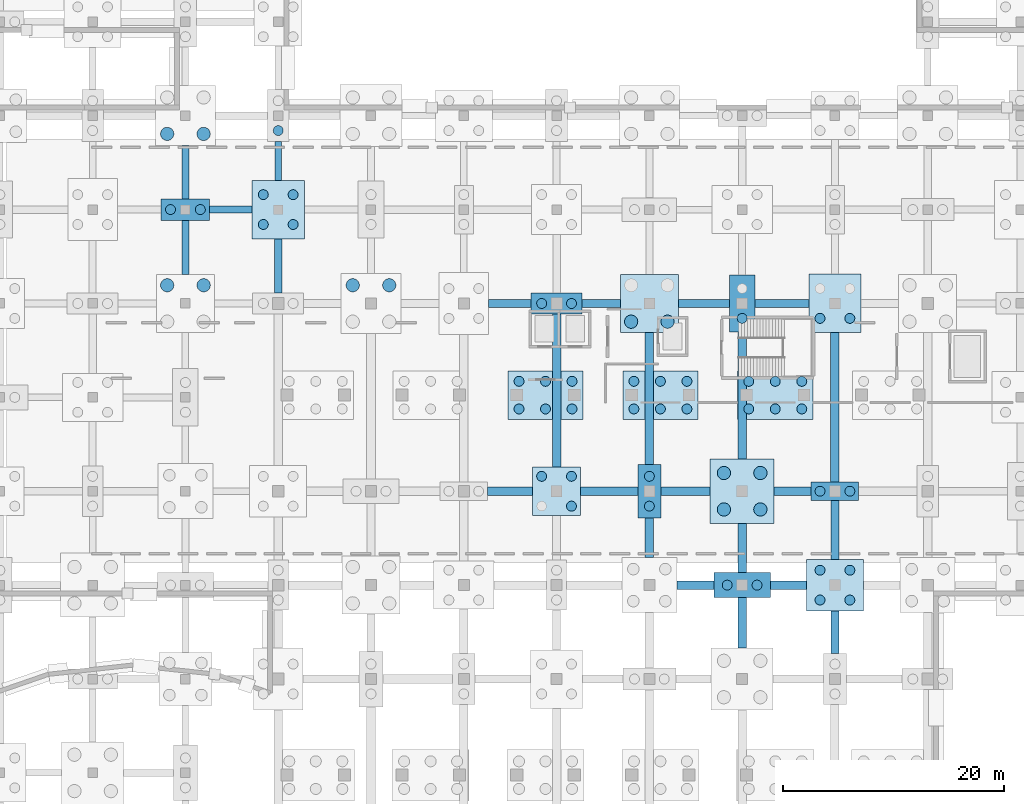
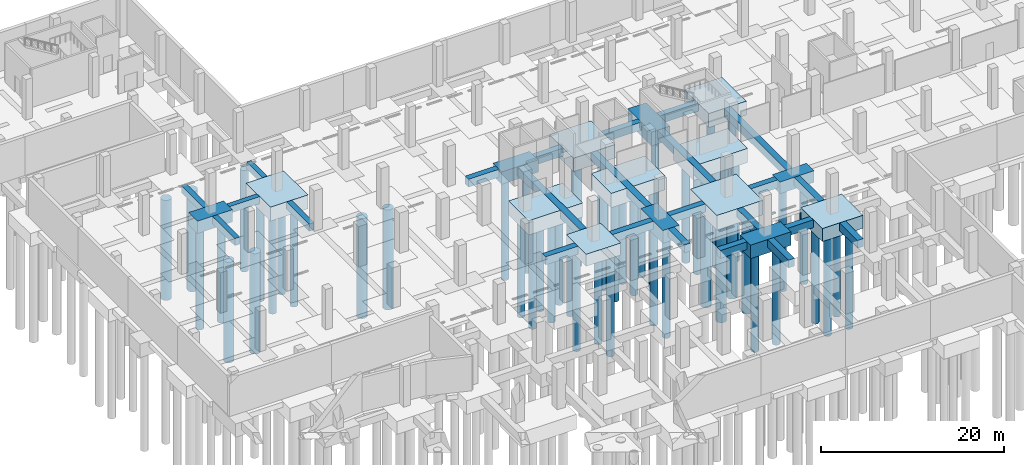
# One storey, part 9 of 34: 55 piles, 39 footings.
"""IFC4 building model written with IfcOpenShell, lengths in metres."""

import ifcopenshell
import ifcopenshell.guid

model = None  # the IFC model being written
_history = None  # IfcOwnerHistory: only IFC2X3 demands one
_inside = {}  # id of a spatial element -> (the spatial element, [elements in it])
_under = {}  # id of a project, library or spatial element -> (it, [spatial elements below it])
_declared = {}  # id of a project -> (the project, [libraries it declares])
_typed = {}  # id of a type object -> (the type object, [elements of that type])
_made_of = {}  # id of a material, layer set ... -> (it, [elements and type objects made of it])


def new_model(schema):
    """Start an empty IFC model of exactly this schema.

    Asked for "IFC4X3", IfcOpenShell would pick the latest addendum, in which some entities
    have other attributes; the version numbers below select the first issue.
    IFC2X3 requires an IfcOwnerHistory on every rooted entity: one is made here for all.
    """
    global model, _history
    if schema == "IFC4X3":
        model = ifcopenshell.file(schema_version=(4, 3, 0, 0))
    else:
        model = ifcopenshell.file(schema=schema)
    _inside.clear()
    _under.clear()
    _declared.clear()
    _typed.clear()
    _made_of.clear()
    _history = None
    if model.schema == "IFC2X3":
        org = make("IfcOrganization", Name="unknown")
        user = make(
            "IfcPersonAndOrganization",
            ThePerson=make("IfcPerson", FamilyName="unknown"),
            TheOrganization=org,
        )
        app = make(
            "IfcApplication",
            ApplicationDeveloper=org,
            Version="unknown",
            ApplicationFullName="unknown",
            ApplicationIdentifier="unknown",
        )
        _history = make(
            "IfcOwnerHistory",
            OwningUser=user,
            OwningApplication=app,
            ChangeAction="ADDED",
            CreationDate=0,
        )
    return model


def make(cls, **values):
    """One entity of the class cls with the attributes given. An attribute that is None is left unset."""
    return model.create_entity(
        cls, **{name: value for name, value in values.items() if value is not None}
    )


def rooted(cls, **values):
    """An entity with a GlobalId (a new one), such as an element, a storey or a relation."""
    return make(cls, GlobalId=ifcopenshell.guid.new(), OwnerHistory=_history, **values)


def si_unit(unit_type, name, prefix=None):
    """IfcSIUnit, for example si_unit("LENGTHUNIT", "METRE", prefix="MILLI")."""
    return make("IfcSIUnit", UnitType=unit_type, Prefix=prefix, Name=name)


def assignment(units):
    """IfcUnitAssignment: the units of a project."""
    return None if units is None else make("IfcUnitAssignment", Units=units)


def point(xyz):
    """IfcCartesianPoint."""
    return None if xyz is None else make("IfcCartesianPoint", Coordinates=xyz)


def direction(xyz):
    """IfcDirection."""
    return None if xyz is None else make("IfcDirection", DirectionRatios=xyz)


def frame(location, z_axis=None, x_axis=None):
    """IfcAxis2Placement3D, a coordinate frame: its origin and axes. An axis left out is left unset."""
    return make(
        "IfcAxis2Placement3D",
        Location=point(location),
        Axis=direction(z_axis),
        RefDirection=direction(x_axis),
    )


def frame_2d(location, x_axis=None):
    """IfcAxis2Placement2D, a coordinate frame in the plane: its origin and x axis."""
    return make(
        "IfcAxis2Placement2D", Location=point(location), RefDirection=direction(x_axis)
    )


def origin():
    """The frame at (0, 0, 0) with its axes left unset."""
    return frame((0.0, 0.0, 0.0))


def origin_2d():
    """The frame at (0, 0) in the plane with its x axis left unset."""
    return frame_2d((0.0, 0.0))


def place(relative_to, where):
    """IfcLocalPlacement: puts the frame where relative to a parent placement (None: the world)."""
    return make(
        "IfcLocalPlacement", PlacementRelTo=relative_to, RelativePlacement=where
    )


def context(
    kind, dimensions, precision=None, world=None, true_north=None, identifier=None
):
    """IfcGeometricRepresentationContext, for example the 3D "Model" context."""
    return make(
        "IfcGeometricRepresentationContext",
        ContextIdentifier=identifier,
        ContextType=kind,
        CoordinateSpaceDimension=dimensions,
        Precision=precision,
        WorldCoordinateSystem=world,
        TrueNorth=true_north,
    )


def subcontext(parent, identifier, kind, view, scale=None):
    """IfcGeometricRepresentationSubContext, for example "Body" below "Model"."""
    return make(
        "IfcGeometricRepresentationSubContext",
        ContextIdentifier=identifier,
        ContextType=kind,
        ParentContext=parent,
        TargetScale=scale,
        TargetView=view,
    )


def project(units=None, contexts=None):
    """IfcProject with its units and contexts."""
    return rooted(
        "IfcProject",
        Name="project",
        RepresentationContexts=contexts,
        UnitsInContext=assignment(units),
    )


def spatial(cls, under=None, at=None, **own):
    """A site, building, storey or space (cls), placed at a placement, below another one or the project."""
    s = rooted(cls, ObjectPlacement=at, **own)
    if under is not None:
        _under.setdefault(under.id(), (under, []))[1].append(s)
    return s


def profile(cls, at=None, kind="AREA", **sizes):
    """A parametric profile (cls). Its sizes go by their IFC names, for example OverallWidth=200.0."""
    return make(cls, ProfileType=kind, Position=at, **sizes)


def rectangle(**sizes):
    """IfcRectangleProfileDef."""
    return profile("IfcRectangleProfileDef", **sizes)


def circle(**sizes):
    """IfcCircleProfileDef."""
    return profile("IfcCircleProfileDef", **sizes)


def extrude(swept, where, along, depth):
    """IfcExtrudedAreaSolid: the profile swept, set in the frame where, extruded along a direction by depth."""
    return make(
        "IfcExtrudedAreaSolid",
        SweptArea=swept,
        Position=where,
        ExtrudedDirection=direction(along),
        Depth=depth,
    )


def shape(context_of_items, identifier, shape_type, items):
    """IfcShapeRepresentation: the items that make up one representation, for example the "Body"."""
    return make(
        "IfcShapeRepresentation",
        ContextOfItems=context_of_items,
        RepresentationIdentifier=identifier,
        RepresentationType=shape_type,
        Items=items,
    )


def material(Name=None, Category=None):
    """IfcMaterial."""
    return make("IfcMaterial", Name=Name, Category=Category)


def material_profile(
    of_material, cross_section, Name=None, Category=None, Priority=None
):
    """IfcMaterialProfile: a cross section and its material."""
    return make(
        "IfcMaterialProfile",
        Name=Name,
        Material=of_material,
        Profile=cross_section,
        Priority=Priority,
        Category=Category,
    )


def profile_set(profiles, Name=None, composite=None):
    """IfcMaterialProfileSet."""
    return make(
        "IfcMaterialProfileSet",
        Name=Name,
        MaterialProfiles=profiles,
        CompositeProfile=composite,
    )


def made_of(thing, what):
    """Note that an element or type object is made of a material, layer set ...; save() writes the relation."""
    if what is not None:
        _made_of.setdefault(what.id(), (what, []))[1].append(thing)
    return thing


def type_object(cls, material=None, **own):
    """A type object (cls), such as IfcWallType, which elements share."""
    return made_of(rooted(cls, **own), material)


def element(
    cls,
    number,
    at=None,
    inside=None,
    cuts=None,
    type_object=None,
    material=None,
    context=None,
    identifier="Body",
    shape_type=None,
    held_by="IfcProductDefinitionShape",
    body=None,
    shapes=None,
    **own,
):
    """One element of the class cls, such as IfcWall. Its Tag is "e" and its number.

    at: its placement. inside: the storey or other place that contains it. cuts: it is an
    opening in that element (IfcRelVoidsElement). A single representation is given by context,
    identifier, shape_type and body (its items); several are given by shapes. held_by: the class
    of the entity that holds the representations. save() writes the other relations.
    """
    e = rooted(cls, Tag="e%d" % number, ObjectPlacement=at, **own)
    if body is not None:
        shapes = [shape(context, identifier, shape_type, body)]
    if shapes is not None:
        e.Representation = make(held_by, Representations=shapes)
    if inside is not None:
        _inside.setdefault(inside.id(), (inside, []))[1].append(e)
    if cuts is not None:
        rooted(
            "IfcRelVoidsElement", RelatingBuildingElement=cuts, RelatedOpeningElement=e
        )
    if type_object is not None:
        _typed.setdefault(type_object.id(), (type_object, []))[1].append(e)
    return made_of(e, material)


def aggregate(whole, parts):
    """IfcRelAggregates: a whole, such as a stair, and the parts it consists of."""
    return rooted("IfcRelAggregates", RelatingObject=whole, RelatedObjects=parts)


def save(model, path):
    """Write the relations noted so far, then the file.

    IfcRelAggregates (storeys below a building ...), IfcRelContainedInSpatialStructure (elements
    in a storey), IfcRelDefinesByType, IfcRelAssociatesMaterial and IfcRelDeclares: one each for
    every whole, place, type object, material and project.
    """
    for whole, parts in _under.values():
        aggregate(whole, parts)
    for where, things in _inside.values():
        rooted(
            "IfcRelContainedInSpatialStructure",
            RelatedElements=things,
            RelatingStructure=where,
        )
    for kind, things in _typed.values():
        rooted("IfcRelDefinesByType", RelatedObjects=things, RelatingType=kind)
    for what, things in _made_of.values():
        rooted("IfcRelAssociatesMaterial", RelatedObjects=things, RelatingMaterial=what)
    for by, libraries in _declared.values():
        rooted("IfcRelDeclares", RelatingContext=by, RelatedDefinitions=libraries)
    model.write(path)


model = new_model("IFC4")

# Units and contexts
model_context = context("Model", 3, precision=1e-05, world=origin(), true_north=direction((0.0, 1.0)))
body_context = subcontext(model_context, "Body", "Model", "MODEL_VIEW")
ifc_project = project(units=[si_unit("LENGTHUNIT", "METRE"), si_unit("AREAUNIT", "SQUARE_METRE"), si_unit("VOLUMEUNIT", "CUBIC_METRE"), si_unit("PLANEANGLEUNIT", "RADIAN"), si_unit("MASSUNIT", "GRAM", prefix="KILO")], contexts=[model_context])

# Site, building, storey
site_placement = place(None, origin())
site = spatial("IfcSite", under=ifc_project, at=site_placement, CompositionType="ELEMENT")
building_placement = place(site_placement, origin())
building = spatial("IfcBuilding", under=site, at=building_placement, Name="Solvento Point Concert Hall", CompositionType="ELEMENT")
storey_placement = place(building_placement, frame((0.0, 0.0, -5.39990234375)))
storey = spatial("IfcBuildingStorey", under=building, at=storey_placement, Name="B01", CompositionType="ELEMENT", Elevation=-5.39990234375)

# Piles
ifc_material_1 = material(Name="Concrete C40/50", Category="concrete")
ifc_material_profile_1 = material_profile(ifc_material_1, circle(Radius=0.60009765625, at=origin_2d()), Name="BP-1200")
ifc_profile_set_1 = profile_set([ifc_material_profile_1], Name="Concrete C40/50")
pile_type_1 = type_object("IfcPileType", Name="BoredPile_1200", PredefinedType="BORED", material=ifc_profile_set_1)
for number, where, z_axis, x_axis, name in (
    (1, (64.35009765625, 95.14990234375, -1.7001953125), (0.0, 0.0, -1.0), (1.0, 0.0, 0.0), "Bored pile BoredPile_1200 #243"),
    (2, (67.64990234375, 95.14990234375, -1.7001953125), (0.0, 0.0, -1.0), (1.0, 0.0, 0.0), "Bored pile BoredPile_1200 #244"),
):
    element("IfcPile", number, at=place(storey_placement, frame(where, z_axis=z_axis, x_axis=x_axis)), inside=storey, type_object=pile_type_1, Name=name, PredefinedType="BORED", context=body_context, shape_type="SweptSolid", body=[
        extrude(circle(Radius=0.60009765625, at=origin_2d()), origin(), (0.0, 0.0, 1.0), 13.39990234375),
    ])
for number, where, z_axis, x_axis, name in (
    (3, (64.35009765625, 108.85009765625, -1.75), (0.0, 0.0, -1.0), (1.0, 0.0, 0.0), "Bored pile BoredPile_1200 #247"),
    (4, (67.64990234375, 108.85009765625, -1.75), (0.0, 0.0, -1.0), (1.0, 0.0, 0.0), "Bored pile BoredPile_1200 #248"),
    (5, (81.14990234375, 95.14990234375, -1.75), (0.0, 0.0, -1.0), (1.0, 0.0, 0.0), "Bored pile BoredPile_1200 #321"),
    (6, (84.449951171875, 95.14990234375, -1.75), (0.0, 0.0, -1.0), (1.0, 0.0, 0.0), "Bored pile BoredPile_1200 #322"),
):
    element("IfcPile", number, at=place(storey_placement, frame(where, z_axis=z_axis, x_axis=x_axis)), inside=storey, type_object=pile_type_1, Name=name, PredefinedType="BORED", context=body_context, shape_type="SweptSolid", body=[
        extrude(circle(Radius=0.60009765625, at=origin_2d()), origin(), (0.0, 0.0, 1.0), 13.35009765625),
    ])
for number, where, z_axis, x_axis, name in (
    (7, (106.35009765625, 91.85009765625, -1.7001953125), (0.0, 0.0, -1.0), (1.0, 0.0, 0.0), "Bored pile BoredPile_1200 #385"),
    (8, (109.64990234375, 91.85009765625, -1.7001953125), (0.0, 0.0, -1.0), (1.0, 0.0, 0.0), "Bored pile BoredPile_1200 #386"),
):
    element("IfcPile", number, at=place(storey_placement, frame(where, z_axis=z_axis, x_axis=x_axis)), inside=storey, type_object=pile_type_1, Name=name, PredefinedType="BORED", context=body_context, shape_type="SweptSolid", body=[
        extrude(circle(Radius=0.60009765625, at=origin_2d()), origin(), (0.0, 0.0, 1.0), 13.39990234375),
    ])
for number, where, z_axis, x_axis, name in (
    (9, (114.75, 74.85009765625, -1.85009765625), (0.0, 0.0, -1.0), (1.0, 0.0, 0.0), "Bored pile BoredPile_1200 #403"),
    (10, (118.050048828125, 74.85009765625, -1.85009765625), (0.0, 0.0, -1.0), (1.0, 0.0, 0.0), "Bored pile BoredPile_1200 #404"),
    (11, (114.75, 78.14990234375, -1.85009765625), (0.0, 0.0, -1.0), (1.0, 0.0, 0.0), "Bored pile BoredPile_1200 #405"),
    (12, (118.050048828125, 78.14990234375, -1.85009765625), (0.0, 0.0, -1.0), (1.0, 0.0, 0.0), "Bored pile BoredPile_1200 #406"),
):
    element("IfcPile", number, at=place(storey_placement, frame(where, z_axis=z_axis, x_axis=x_axis)), inside=storey, type_object=pile_type_1, Name=name, PredefinedType="BORED", context=body_context, shape_type="SweptSolid", body=[
        extrude(circle(Radius=0.60009765625, at=origin_2d()), origin(), (0.0, 0.0, 1.0), 13.25),
    ])
ifc_material_2 = material(Name="Concrete C40/50", Category="concrete")
ifc_material_profile_2 = material_profile(ifc_material_2, circle(Radius=0.449951171875, at=origin_2d()), Name="BP-900")
ifc_profile_set_2 = profile_set([ifc_material_profile_2], Name="Concrete C40/50")
pile_type_2 = type_object("IfcPileType", Name="BoredPile_900", PredefinedType="BORED", material=ifc_profile_set_2)
for number, where, z_axis, x_axis, name in (
    (13, (64.64990234375, 102.0, -1.5400390625), (0.0, 0.0, -1.0), (1.0, 0.0, 0.0), "Bored pile BoredPile_900 #245"),
    (14, (67.35009765625, 102.0, -1.5400390625), (0.0, 0.0, -1.0), (1.0, 0.0, 0.0), "Bored pile BoredPile_900 #246"),
):
    element("IfcPile", number, at=place(storey_placement, frame(where, z_axis=z_axis, x_axis=x_axis)), inside=storey, type_object=pile_type_2, Name=name, PredefinedType="BORED", context=body_context, shape_type="SweptSolid", body=[
        extrude(circle(Radius=0.449951171875, at=origin_2d()), origin(), (0.0, 0.0, 1.0), 13.56005859375),
    ])
for number, where, z_axis, x_axis, name in (
    (15, (73.050048828125, 100.64990234375, -1.760009765625), (0.0, 0.0, -1.0), (1.0, 0.0, 0.0), "Bored pile BoredPile_900 #283"),
    (16, (75.75, 100.64990234375, -1.760009765625), (0.0, 0.0, -1.0), (1.0, 0.0, 0.0), "Bored pile BoredPile_900 #284"),
    (17, (73.050048828125, 103.35009765625, -1.760009765625), (0.0, 0.0, -1.0), (1.0, 0.0, 0.0), "Bored pile BoredPile_900 #285"),
    (18, (75.75, 103.35009765625, -1.760009765625), (0.0, 0.0, -1.0), (1.0, 0.0, 0.0), "Bored pile BoredPile_900 #286"),
):
    element("IfcPile", number, at=place(storey_placement, frame(where, z_axis=z_axis, x_axis=x_axis)), inside=storey, type_object=pile_type_2, Name=name, PredefinedType="BORED", context=body_context, shape_type="SweptSolid", body=[
        extrude(circle(Radius=0.449951171875, at=origin_2d()), origin(), (0.0, 0.0, 1.0), 13.340087890625),
    ])
pile_1_placement = place(storey_placement, frame((74.39990234375, 109.14990234375, -1.580078125), z_axis=(0.0, 0.0, -1.0), x_axis=(1.0, 0.0, 0.0)))
element("IfcPile", 19, at=pile_1_placement, inside=storey, type_object=pile_type_2, Name="Bored pile BoredPile_900 #287", PredefinedType="BORED", context=body_context, shape_type="SweptSolid", body=[
    extrude(circle(Radius=0.449951171875, at=origin_2d()), origin(), (0.0, 0.0, 1.0), 13.52001953125),
])
for number, where, z_axis, x_axis, name in (
    (20, (100.949951171875, 75.14990234375, -1.5), (0.0, 0.0, -1.0), (1.0, 0.0, 0.0), "Bored pile BoredPile_900 #362"),
    (21, (98.25, 77.85009765625, -1.5), (0.0, 0.0, -1.0), (1.0, 0.0, 0.0), "Bored pile BoredPile_900 #363"),
    (22, (100.949951171875, 77.85009765625, -1.5), (0.0, 0.0, -1.0), (1.0, 0.0, 0.0), "Bored pile BoredPile_900 #364"),
):
    element("IfcPile", number, at=place(storey_placement, frame(where, z_axis=z_axis, x_axis=x_axis)), inside=storey, type_object=pile_type_2, Name=name, PredefinedType="BORED", context=body_context, shape_type="SweptSolid", body=[
        extrude(circle(Radius=0.449951171875, at=origin_2d()), origin(), (0.0, 0.0, 1.0), 13.60009765625),
    ])
for number, where, z_axis, x_axis, name in (
    (23, (98.25, 93.5, -1.550048828125), (0.0, 0.0, -1.0), (1.0, 0.0, 0.0), "Bored pile BoredPile_900 #365"),
    (24, (100.949951171875, 93.5, -1.550048828125), (0.0, 0.0, -1.0), (1.0, 0.0, 0.0), "Bored pile BoredPile_900 #366"),
):
    element("IfcPile", number, at=place(storey_placement, frame(where, z_axis=z_axis, x_axis=x_axis)), inside=storey, type_object=pile_type_2, Name=name, PredefinedType="BORED", context=body_context, shape_type="SweptSolid", body=[
        extrude(circle(Radius=0.449951171875, at=origin_2d()), origin(), (0.0, 0.0, 1.0), 13.550048828125),
    ])
for number, where, z_axis, x_axis, name in (
    (25, (108.0, 75.14990234375, -1.6201171875), (0.0, 0.0, -1.0), (1.0, 0.0, 0.0), "Bored pile BoredPile_900 #383"),
    (26, (108.0, 77.85009765625, -1.6201171875), (0.0, 0.0, -1.0), (1.0, 0.0, 0.0), "Bored pile BoredPile_900 #384"),
):
    element("IfcPile", number, at=place(storey_placement, frame(where, z_axis=z_axis, x_axis=x_axis)), inside=storey, type_object=pile_type_2, Name=name, PredefinedType="BORED", context=body_context, shape_type="SweptSolid", body=[
        extrude(circle(Radius=0.449951171875, at=origin_2d()), origin(), (0.0, 0.0, 1.0), 13.47998046875),
    ])
for number, where, z_axis, x_axis, name in (
    (27, (115.050048828125, 68.0, -1.7001953125), (0.0, 0.0, -1.0), (1.0, 0.0, 0.0), "Bored pile BoredPile_900 #401"),
    (28, (117.75, 68.0, -1.7001953125), (0.0, 0.0, -1.0), (1.0, 0.0, 0.0), "Bored pile BoredPile_900 #402"),
):
    element("IfcPile", number, at=place(storey_placement, frame(where, z_axis=z_axis, x_axis=x_axis)), inside=storey, type_object=pile_type_2, Name=name, PredefinedType="BORED", context=body_context, shape_type="SweptSolid", body=[
        extrude(circle(Radius=0.449951171875, at=origin_2d()), origin(), (0.0, 0.0, 1.0), 13.39990234375),
    ])
pile_2_placement = place(storey_placement, frame((116.39990234375, 92.14990234375, -1.739990234375), z_axis=(0.0, 0.0, -1.0), x_axis=(1.0, 0.0, 0.0)))
element("IfcPile", 29, at=pile_2_placement, inside=storey, type_object=pile_type_2, Name="Bored pile BoredPile_900 #407", PredefinedType="BORED", context=body_context, shape_type="SweptSolid", body=[
    extrude(circle(Radius=0.449951171875, at=origin_2d()), origin(), (0.0, 0.0, 1.0), 13.360107421875),
])
for number, where, z_axis, x_axis, name in (
    (30, (123.449951171875, 66.64990234375, -1.64013671875), (0.0, 0.0, -1.0), (1.0, 0.0, 0.0), "Bored pile BoredPile_900 #421"),
    (31, (126.14990234375, 66.64990234375, -1.64013671875), (0.0, 0.0, -1.0), (1.0, 0.0, 0.0), "Bored pile BoredPile_900 #422"),
    (32, (123.449951171875, 69.35009765625, -1.64013671875), (0.0, 0.0, -1.0), (1.0, 0.0, 0.0), "Bored pile BoredPile_900 #423"),
    (33, (126.14990234375, 69.35009765625, -1.64013671875), (0.0, 0.0, -1.0), (1.0, 0.0, 0.0), "Bored pile BoredPile_900 #424"),
):
    element("IfcPile", number, at=place(storey_placement, frame(where, z_axis=z_axis, x_axis=x_axis)), inside=storey, type_object=pile_type_2, Name=name, PredefinedType="BORED", context=body_context, shape_type="SweptSolid", body=[
        extrude(circle(Radius=0.449951171875, at=origin_2d()), origin(), (0.0, 0.0, 1.0), 13.4599609375),
    ])
for number, where, z_axis, x_axis, name in (
    (34, (123.449951171875, 76.5, -1.4501953125), (0.0, 0.0, -1.0), (1.0, 0.0, 0.0), "Bored pile BoredPile_900 #425"),
    (35, (126.14990234375, 76.5, -1.4501953125), (0.0, 0.0, -1.0), (1.0, 0.0, 0.0), "Bored pile BoredPile_900 #426"),
):
    element("IfcPile", number, at=place(storey_placement, frame(where, z_axis=z_axis, x_axis=x_axis)), inside=storey, type_object=pile_type_2, Name=name, PredefinedType="BORED", context=body_context, shape_type="SweptSolid", body=[
        extrude(circle(Radius=0.449951171875, at=origin_2d()), origin(), (0.0, 0.0, 1.0), 13.64990234375),
    ])
for number, where, z_axis, x_axis, name in (
    (36, (123.449951171875, 92.14990234375, -1.760009765625), (0.0, 0.0, -1.0), (1.0, 0.0, 0.0), "Bored pile BoredPile_900 #427"),
    (37, (126.14990234375, 92.14990234375, -1.760009765625), (0.0, 0.0, -1.0), (1.0, 0.0, 0.0), "Bored pile BoredPile_900 #428"),
):
    element("IfcPile", number, at=place(storey_placement, frame(where, z_axis=z_axis, x_axis=x_axis)), inside=storey, type_object=pile_type_2, Name=name, PredefinedType="BORED", context=body_context, shape_type="SweptSolid", body=[
        extrude(circle(Radius=0.449951171875, at=origin_2d()), origin(), (0.0, 0.0, 1.0), 13.340087890625),
    ])
for number, where, z_axis, x_axis, name in (
    (38, (96.199951171875, 83.949951171875, -1.800048828125), (0.0, 0.0, -1.0), (1.0, 0.0, 0.0), "Bored pile BoredPile_900 #845"),
    (39, (98.60009765625, 83.949951171875, -1.800048828125), (0.0, 0.0, -1.0), (1.0, 0.0, 0.0), "Bored pile BoredPile_900 #846"),
    (40, (101.0, 83.949951171875, -1.800048828125), (0.0, 0.0, -1.0), (1.0, 0.0, 0.0), "Bored pile BoredPile_900 #847"),
    (41, (96.199951171875, 86.449951171875, -1.800048828125), (0.0, 0.0, -1.0), (1.0, 0.0, 0.0), "Bored pile BoredPile_900 #848"),
    (42, (98.60009765625, 86.449951171875, -1.800048828125), (0.0, 0.0, -1.0), (1.0, 0.0, 0.0), "Bored pile BoredPile_900 #849"),
    (43, (101.0, 86.449951171875, -1.800048828125), (0.0, 0.0, -1.0), (1.0, 0.0, 0.0), "Bored pile BoredPile_900 #850"),
    (44, (106.60009765625, 83.949951171875, -1.800048828125), (0.0, 0.0, -1.0), (1.0, 0.0, 0.0), "Bored pile BoredPile_900 #857"),
    (45, (109.0, 83.949951171875, -1.800048828125), (0.0, 0.0, -1.0), (1.0, 0.0, 0.0), "Bored pile BoredPile_900 #858"),
    (46, (111.39990234375, 83.949951171875, -1.800048828125), (0.0, 0.0, -1.0), (1.0, 0.0, 0.0), "Bored pile BoredPile_900 #859"),
    (47, (106.60009765625, 86.449951171875, -1.800048828125), (0.0, 0.0, -1.0), (1.0, 0.0, 0.0), "Bored pile BoredPile_900 #860"),
    (48, (109.0, 86.449951171875, -1.800048828125), (0.0, 0.0, -1.0), (1.0, 0.0, 0.0), "Bored pile BoredPile_900 #861"),
    (49, (111.39990234375, 86.449951171875, -1.800048828125), (0.0, 0.0, -1.0), (1.0, 0.0, 0.0), "Bored pile BoredPile_900 #862"),
    (50, (117.0, 83.949951171875, -1.800048828125), (0.0, 0.0, -1.0), (1.0, 0.0, 0.0), "Bored pile BoredPile_900 #869"),
    (51, (119.39990234375, 83.949951171875, -1.800048828125), (0.0, 0.0, -1.0), (1.0, 0.0, 0.0), "Bored pile BoredPile_900 #870"),
    (52, (121.800048828125, 83.949951171875, -1.800048828125), (0.0, 0.0, -1.0), (1.0, 0.0, 0.0), "Bored pile BoredPile_900 #871"),
    (53, (117.0, 86.449951171875, -1.800048828125), (0.0, 0.0, -1.0), (1.0, 0.0, 0.0), "Bored pile BoredPile_900 #872"),
    (54, (119.39990234375, 86.449951171875, -1.800048828125), (0.0, 0.0, -1.0), (1.0, 0.0, 0.0), "Bored pile BoredPile_900 #873"),
    (55, (121.800048828125, 86.449951171875, -1.800048828125), (0.0, 0.0, -1.0), (1.0, 0.0, 0.0), "Bored pile BoredPile_900 #874"),
):
    element("IfcPile", number, at=place(storey_placement, frame(where, z_axis=z_axis, x_axis=x_axis)), inside=storey, type_object=pile_type_2, Name=name, PredefinedType="BORED", context=body_context, shape_type="SweptSolid", body=[
        extrude(circle(Radius=0.449951171875, at=origin_2d()), origin(), (0.0, 0.0, 1.0), 13.300048828125),
    ])

# Footings
ifc_material_3 = material(Name="Concrete C40/50", Category="concrete")
footing_type_1 = type_object("IfcFootingType", Name="PileCap_2A", PredefinedType="PILE_CAP", material=ifc_material_3)
footing_1_placement = place(storey_placement, frame((124.800048828125, 76.5, -1.55029296875), z_axis=(0.0, 0.0, 1.0), x_axis=(1.0, 0.0, 0.0)))
element("IfcFooting", 56, at=footing_1_placement, inside=storey, type_object=footing_type_1, Name="Pile cap PC-2A at G-16-K", PredefinedType="PILE_CAP", context=body_context, shape_type="SweptSolid", body=[
    extrude(rectangle(XDim=4.300048828125, YDim=1.64990234375, at=origin_2d()), origin(), (0.0, 0.0, 1.0), 1.550048828125),
])
ifc_material_4 = material(Name="Concrete C40/50", Category="concrete")
footing_type_2 = type_object("IfcFootingType", Name="PileCap_2E", PredefinedType="PILE_CAP", material=ifc_material_4)
footing_2_placement = place(storey_placement, frame((99.60009765625, 93.5, -1.650146484375), z_axis=(0.0, 0.0, 1.0), x_axis=(1.0, 0.0, 0.0)))
element("IfcFooting", 57, at=footing_2_placement, inside=storey, type_object=footing_type_2, Name="Pile cap PC-2E at G-13-M", PredefinedType="PILE_CAP", context=body_context, shape_type="SweptSolid", body=[
    extrude(rectangle(XDim=4.6201171875, YDim=1.89990234375, at=origin_2d()), origin(), (0.0, 0.0, 1.0), 1.64990234375),
])
ifc_material_5 = material(Name="Concrete C40/50", Category="concrete")
footing_type_3 = type_object("IfcFootingType", Name="PileCap_2H", PredefinedType="PILE_CAP", material=ifc_material_5)
footing_3_placement = place(storey_placement, frame((108.0, 76.5, -1.72021484375), z_axis=(0.0, 0.0, 1.0), x_axis=(1.0, 0.0, 0.0)))
element("IfcFooting", 58, at=footing_3_placement, inside=storey, type_object=footing_type_3, Name="Pile cap PC-2H at G-14-K", PredefinedType="PILE_CAP", context=body_context, shape_type="SweptSolid", body=[
    extrude(rectangle(XDim=2.080078125, YDim=4.860107421875, at=origin_2d()), origin(), (0.0, 0.0, 1.0), 1.719970703125),
])
ifc_material_6 = material(Name="Concrete C40/50", Category="concrete")
footing_type_4 = type_object("IfcFootingType", Name="PileCap_2L", PredefinedType="PILE_CAP", material=ifc_material_6)
footing_4_placement = place(storey_placement, frame((116.39990234375, 68.0, -1.80029296875), z_axis=(0.0, 0.0, 1.0), x_axis=(1.0, 0.0, 0.0)))
element("IfcFooting", 59, at=footing_4_placement, inside=storey, type_object=footing_type_4, Name="Pile cap PC-2L at G-15-J", PredefinedType="PILE_CAP", context=body_context, shape_type="SweptSolid", body=[
    extrude(rectangle(XDim=5.10009765625, YDim=2.260009765625, at=origin_2d()), origin(), (0.0, 0.0, 1.0), 1.800048828125),
])
ifc_material_7 = material(Name="Concrete C40/50", Category="concrete")
footing_type_5 = type_object("IfcFootingType", Name="PileCap_2M", PredefinedType="PILE_CAP", material=ifc_material_7)
footing_5_placement = place(storey_placement, frame((116.39990234375, 93.5, -1.84033203125), z_axis=(0.0, 0.0, 1.0), x_axis=(1.0, 0.0, 0.0)))
element("IfcFooting", 60, at=footing_5_placement, inside=storey, type_object=footing_type_5, Name="Pile cap PC-2M at G-15-M", PredefinedType="PILE_CAP", context=body_context, shape_type="SweptSolid", body=[
    extrude(rectangle(XDim=2.320068359375, YDim=5.179931640625, at=origin_2d()), origin(), (0.0, 0.0, 1.0), 1.840087890625),
])
ifc_material_8 = material(Name="Concrete C40/50", Category="concrete")
footing_type_6 = type_object("IfcFootingType", Name="PileCap_2N", PredefinedType="PILE_CAP", material=ifc_material_8)
footing_6_placement = place(storey_placement, frame((66.0, 102.0, -1.64013671875), z_axis=(0.0, 0.0, 1.0), x_axis=(1.0, 0.0, 0.0)))
element("IfcFooting", 61, at=footing_6_placement, inside=storey, type_object=footing_type_6, Name="Pile cap PC-2N at G-09-N", PredefinedType="PILE_CAP", context=body_context, shape_type="SweptSolid", body=[
    extrude(rectangle(XDim=4.39990234375, YDim=1.93994140625, at=origin_2d()), origin(), (0.0, 0.0, 1.0), 1.639892578125),
])
ifc_material_9 = material(Name="Concrete C40/50", Category="concrete")
footing_type_7 = type_object("IfcFootingType", Name="PileCap_4A", PredefinedType="PILE_CAP", material=ifc_material_9)
footing_7_placement = place(storey_placement, frame((99.60009765625, 76.5, -1.60009765625), z_axis=(0.0, 0.0, 1.0), x_axis=(1.0, 0.0, 0.0)))
element("IfcFooting", 62, at=footing_7_placement, inside=storey, type_object=footing_type_7, Name="Pile cap PC-4A at G-13-K", PredefinedType="PILE_CAP", context=body_context, shape_type="SweptSolid", body=[
    extrude(rectangle(XDim=4.35009765625, YDim=4.35009765625, at=origin_2d()), origin(), (0.0, 0.0, 1.0), 1.60009765625),
])
ifc_material_10 = material(Name="Concrete C40/50", Category="concrete")
footing_type_8 = type_object("IfcFootingType", Name="PileCap_4E", PredefinedType="PILE_CAP", material=ifc_material_10)
footing_8_placement = place(storey_placement, frame((108.0, 93.5, -1.80029296875), z_axis=(0.0, 0.0, 1.0), x_axis=(1.0, 0.0, 0.0)))
element("IfcFooting", 63, at=footing_8_placement, inside=storey, type_object=footing_type_8, Name="Pile cap PC-4E at G-14-M", PredefinedType="PILE_CAP", context=body_context, shape_type="SweptSolid", body=[
    extrude(rectangle(XDim=5.25, YDim=5.25, at=origin_2d()), origin(), (0.0, 0.0, 1.0), 1.800048828125),
])
ifc_material_11 = material(Name="Concrete C40/50", Category="concrete")
footing_type_9 = type_object("IfcFootingType", Name="PileCap_4H", PredefinedType="PILE_CAP", material=ifc_material_11)
footing_9_placement = place(storey_placement, frame((116.39990234375, 76.5, -1.9501953125), z_axis=(0.0, 0.0, 1.0), x_axis=(1.0, 0.0, 0.0)))
element("IfcFooting", 64, at=footing_9_placement, inside=storey, type_object=footing_type_9, Name="Pile cap PC-4H at G-15-K", PredefinedType="PILE_CAP", context=body_context, shape_type="SweptSolid", body=[
    extrude(rectangle(XDim=5.800048828125, YDim=5.800048828125, at=origin_2d()), origin(), (0.0, 0.0, 1.0), 1.949951171875),
])
ifc_material_12 = material(Name="Concrete C40/50", Category="concrete")
footing_type_10 = type_object("IfcFootingType", Name="PileCap_4L", PredefinedType="PILE_CAP", material=ifc_material_12)
footing_10_placement = place(storey_placement, frame((124.800048828125, 68.0, -1.740234375), z_axis=(0.0, 0.0, 1.0), x_axis=(1.0, 0.0, 0.0)))
element("IfcFooting", 65, at=footing_10_placement, inside=storey, type_object=footing_type_10, Name="Pile cap PC-4L at G-16-J", PredefinedType="PILE_CAP", context=body_context, shape_type="SweptSolid", body=[
    extrude(rectangle(XDim=5.159912109375, YDim=4.659912109375, at=origin_2d()), origin(), (0.0, 0.0, 1.0), 1.739990234375),
])
ifc_material_13 = material(Name="Concrete C40/50", Category="concrete")
footing_type_11 = type_object("IfcFootingType", Name="PileCap_4M", PredefinedType="PILE_CAP", material=ifc_material_13)
for number, where, z_axis, x_axis, name in (
    (66, (74.39990234375, 102.0, -1.8603515625), (0.0, 0.0, 1.0), (1.0, 0.0, 0.0), "Pile cap PC-4M at G-10-N"),
    (67, (124.800048828125, 93.5, -1.8603515625), (0.0, 0.0, 1.0), (1.0, 0.0, 0.0), "Pile cap PC-4M at G-16-M"),
):
    element("IfcFooting", number, at=place(storey_placement, frame(where, z_axis=z_axis, x_axis=x_axis)), inside=storey, type_object=footing_type_11, Name=name, PredefinedType="PILE_CAP", context=body_context, shape_type="SweptSolid", body=[
        extrude(rectangle(XDim=4.739990234375, YDim=5.300048828125, at=origin_2d()), origin(), (0.0, 0.0, 1.0), 1.860107421875),
    ])
ifc_material_14 = material(Name="Concrete C40/50", Category="concrete")
footing_type_12 = type_object("IfcFootingType", Name="PileCap_6A", PredefinedType="PILE_CAP", material=ifc_material_14)
for number, where, z_axis, x_axis, name in (
    (68, (98.60009765625, 85.199951171875, -1.900146484375), (0.0, 0.0, 1.0), (1.0, 0.0, 0.0), "Pile cap PC-6A at D-DN05"),
    (69, (109.0, 85.199951171875, -1.900146484375), (0.0, 0.0, 1.0), (1.0, 0.0, 0.0), "Pile cap PC-6A at D-DN07"),
    (70, (119.39990234375, 85.199951171875, -1.900146484375), (0.0, 0.0, 1.0), (1.0, 0.0, 0.0), "Pile cap PC-6A at D-DN09"),
):
    element("IfcFooting", number, at=place(storey_placement, frame(where, z_axis=z_axis, x_axis=x_axis)), inside=storey, type_object=footing_type_12, Name=name, PredefinedType="PILE_CAP", context=body_context, shape_type="SweptSolid", body=[
        extrude(rectangle(XDim=6.800048828125, YDim=4.39990234375, at=origin_2d()), origin(), (0.0, 0.0, 1.0), 1.89990234375),
    ])
ifc_material_15 = material(Name="Concrete C40/50", Category="concrete")
footing_type_13 = type_object("IfcFootingType", Name="TieBeam_600x900", PredefinedType="FOOTING_BEAM", material=ifc_material_15)
footing_11_placement = place(storey_placement, frame((74.39990234375, 106.39990234375, -0.900146484375), z_axis=(0.0, 0.0, 1.0), x_axis=(0.0, 1.0, 0.0)))
element("IfcFooting", 71, at=footing_11_placement, inside=storey, type_object=footing_type_13, Name="Seismic tie beam GB-01", PredefinedType="FOOTING_BEAM", context=body_context, shape_type="SweptSolid", body=[
    extrude(rectangle(XDim=3.5, YDim=0.60009765625, at=origin_2d()), origin(), (0.0, 0.0, 1.0), 0.89990234375),
])
ifc_material_16 = material(Name="Concrete C40/50", Category="concrete")
footing_type_14 = type_object("IfcFootingType", Name="TieBeam_620x920", PredefinedType="FOOTING_BEAM", material=ifc_material_16)
footing_12_placement = place(storey_placement, frame((70.114990234375, 102.0, -0.920166015625), z_axis=(0.0, 0.0, 1.0), x_axis=(1.0, 0.0, 0.0)))
element("IfcFooting", 72, at=footing_12_placement, inside=storey, type_object=footing_type_14, Name="Seismic tie beam GB-02", PredefinedType="FOOTING_BEAM", context=body_context, shape_type="SweptSolid", body=[
    extrude(rectangle(XDim=3.830078125, YDim=0.6201171875, at=origin_2d()), origin(), (0.0, 0.0, 1.0), 0.919921875),
])
ifc_material_17 = material(Name="Concrete C40/50", Category="concrete")
footing_type_15 = type_object("IfcFootingType", Name="TieBeam_650x950", PredefinedType="FOOTING_BEAM", material=ifc_material_17)
footing_13_placement = place(storey_placement, frame((66.0, 98.577392578125, -0.9501953125), z_axis=(0.0, 0.0, 1.0), x_axis=(0.0, 1.0, 0.0)))
element("IfcFooting", 73, at=footing_13_placement, inside=storey, type_object=footing_type_15, Name="Seismic tie beam GB-03", PredefinedType="FOOTING_BEAM", context=body_context, shape_type="SweptSolid", body=[
    extrude(rectangle(XDim=4.905029296875, YDim=0.64990234375, at=origin_2d()), origin(), (0.0, 0.0, 1.0), 0.949951171875),
])
footing_14_placement = place(storey_placement, frame((66.0, 105.375, -0.9501953125), z_axis=(0.0, 0.0, 1.0), x_axis=(0.0, 1.0, 0.0)))
element("IfcFooting", 74, at=footing_14_placement, inside=storey, type_object=footing_type_15, Name="Seismic tie beam GB-03", PredefinedType="FOOTING_BEAM", context=body_context, shape_type="SweptSolid", body=[
    extrude(rectangle(XDim=4.81005859375, YDim=0.64990234375, at=origin_2d()), origin(), (0.0, 0.0, 1.0), 0.949951171875),
])
footing_15_placement = place(storey_placement, frame((74.39990234375, 96.89990234375, -0.9501953125), z_axis=(0.0, 0.0, 1.0), x_axis=(0.0, 1.0, 0.0)))
element("IfcFooting", 75, at=footing_15_placement, inside=storey, type_object=footing_type_15, Name="Seismic tie beam GB-03", PredefinedType="FOOTING_BEAM", context=body_context, shape_type="SweptSolid", body=[
    extrude(rectangle(XDim=4.89990234375, YDim=0.64990234375, at=origin_2d()), origin(), (0.0, 0.0, 1.0), 0.949951171875),
])
ifc_material_18 = material(Name="Concrete C40/50", Category="concrete")
footing_type_16 = type_object("IfcFootingType", Name="TieBeam_750x1050", PredefinedType="FOOTING_BEAM", material=ifc_material_18)
footing_16_placement = place(storey_placement, frame((112.169921875, 68.0, -1.05029296875), z_axis=(0.0, 0.0, 1.0), x_axis=(1.0, 0.0, 0.0)))
element("IfcFooting", 76, at=footing_16_placement, inside=storey, type_object=footing_type_16, Name="Seismic tie beam GB-07", PredefinedType="FOOTING_BEAM", context=body_context, shape_type="SweptSolid", body=[
    extrude(rectangle(XDim=3.360107421875, YDim=0.75, at=origin_2d()), origin(), (0.0, 0.0, 1.0), 1.050048828125),
])
footing_17_placement = place(storey_placement, frame((120.5849609375, 68.0, -1.05029296875), z_axis=(0.0, 0.0, 1.0), x_axis=(1.0, 0.0, 0.0)))
element("IfcFooting", 77, at=footing_17_placement, inside=storey, type_object=footing_type_16, Name="Seismic tie beam GB-07", PredefinedType="FOOTING_BEAM", context=body_context, shape_type="SweptSolid", body=[
    extrude(rectangle(XDim=3.27001953125, YDim=0.75, at=origin_2d()), origin(), (0.0, 0.0, 1.0), 1.050048828125),
])
footing_18_placement = place(storey_placement, frame((95.387451171875, 76.5, -1.05029296875), z_axis=(0.0, 0.0, 1.0), x_axis=(1.0, 0.0, 0.0)))
element("IfcFooting", 78, at=footing_18_placement, inside=storey, type_object=footing_type_16, Name="Seismic tie beam GB-07", PredefinedType="FOOTING_BEAM", context=body_context, shape_type="SweptSolid", body=[
    extrude(rectangle(XDim=4.074951171875, YDim=0.75, at=origin_2d()), origin(), (0.0, 0.0, 1.0), 1.050048828125),
])
footing_19_placement = place(storey_placement, frame((104.367431640625, 76.5, -1.05029296875), z_axis=(0.0, 0.0, 1.0), x_axis=(1.0, 0.0, 0.0)))
element("IfcFooting", 79, at=footing_19_placement, inside=storey, type_object=footing_type_16, Name="Seismic tie beam GB-07", PredefinedType="FOOTING_BEAM", context=body_context, shape_type="SweptSolid", body=[
    extrude(rectangle(XDim=5.18505859375, YDim=0.75, at=origin_2d()), origin(), (0.0, 0.0, 1.0), 1.050048828125),
])
footing_20_placement = place(storey_placement, frame((111.27001953125, 76.5, -1.05029296875), z_axis=(0.0, 0.0, 1.0), x_axis=(1.0, 0.0, 0.0)))
element("IfcFooting", 80, at=footing_20_placement, inside=storey, type_object=footing_type_16, Name="Seismic tie beam GB-07", PredefinedType="FOOTING_BEAM", context=body_context, shape_type="SweptSolid", body=[
    extrude(rectangle(XDim=4.4599609375, YDim=0.75, at=origin_2d()), origin(), (0.0, 0.0, 1.0), 1.050048828125),
])
footing_21_placement = place(storey_placement, frame((120.97509765625, 76.5, -1.05029296875), z_axis=(0.0, 0.0, 1.0), x_axis=(1.0, 0.0, 0.0)))
element("IfcFooting", 81, at=footing_21_placement, inside=storey, type_object=footing_type_16, Name="Seismic tie beam GB-07", PredefinedType="FOOTING_BEAM", context=body_context, shape_type="SweptSolid", body=[
    extrude(rectangle(XDim=3.35009765625, YDim=0.75, at=origin_2d()), origin(), (0.0, 0.0, 1.0), 1.050048828125),
])
footing_22_placement = place(storey_placement, frame((95.364990234375, 93.5, -1.05029296875), z_axis=(0.0, 0.0, 1.0), x_axis=(1.0, 0.0, 0.0)))
element("IfcFooting", 82, at=footing_22_placement, inside=storey, type_object=footing_type_16, Name="Seismic tie beam GB-07", PredefinedType="FOOTING_BEAM", context=body_context, shape_type="SweptSolid", body=[
    extrude(rectangle(XDim=3.85009765625, YDim=0.75, at=origin_2d()), origin(), (0.0, 0.0, 1.0), 1.050048828125),
])
footing_23_placement = place(storey_placement, frame((103.642578125, 93.5, -1.05029296875), z_axis=(0.0, 0.0, 1.0), x_axis=(1.0, 0.0, 0.0)))
element("IfcFooting", 83, at=footing_23_placement, inside=storey, type_object=footing_type_16, Name="Seismic tie beam GB-07", PredefinedType="FOOTING_BEAM", context=body_context, shape_type="SweptSolid", body=[
    extrude(rectangle(XDim=3.465087890625, YDim=0.75, at=origin_2d()), origin(), (0.0, 0.0, 1.0), 1.050048828125),
])
footing_24_placement = place(storey_placement, frame((112.9326171875, 93.5, -1.05029296875), z_axis=(0.0, 0.0, 1.0), x_axis=(1.0, 0.0, 0.0)))
element("IfcFooting", 84, at=footing_24_placement, inside=storey, type_object=footing_type_16, Name="Seismic tie beam GB-07", PredefinedType="FOOTING_BEAM", context=body_context, shape_type="SweptSolid", body=[
    extrude(rectangle(XDim=4.614990234375, YDim=0.75, at=origin_2d()), origin(), (0.0, 0.0, 1.0), 1.050048828125),
])
footing_25_placement = place(storey_placement, frame((119.9951171875, 93.5, -1.05029296875), z_axis=(0.0, 0.0, 1.0), x_axis=(1.0, 0.0, 0.0)))
element("IfcFooting", 85, at=footing_25_placement, inside=storey, type_object=footing_type_16, Name="Seismic tie beam GB-07", PredefinedType="FOOTING_BEAM", context=body_context, shape_type="SweptSolid", body=[
    extrude(rectangle(XDim=4.8701171875, YDim=0.75, at=origin_2d()), origin(), (0.0, 0.0, 1.0), 1.050048828125),
])
footing_26_placement = place(storey_placement, frame((108.0, 72.280029296875, -1.05029296875), z_axis=(0.0, 0.0, 1.0), x_axis=(0.0, 1.0, 0.0)))
element("IfcFooting", 86, at=footing_26_placement, inside=storey, type_object=footing_type_16, Name="Seismic tie beam GB-07", PredefinedType="FOOTING_BEAM", context=body_context, shape_type="SweptSolid", body=[
    extrude(rectangle(XDim=3.580078125, YDim=0.75, at=origin_2d()), origin(), (0.0, 0.0, 1.0), 1.050048828125),
])
footing_27_placement = place(storey_placement, frame((116.39990234375, 64.590087890625, -1.05029296875), z_axis=(0.0, 0.0, 1.0), x_axis=(0.0, 1.0, 0.0)))
element("IfcFooting", 87, at=footing_27_placement, inside=storey, type_object=footing_type_16, Name="Seismic tie beam GB-07", PredefinedType="FOOTING_BEAM", context=body_context, shape_type="SweptSolid", body=[
    extrude(rectangle(XDim=4.56005859375, YDim=0.75, at=origin_2d()), origin(), (0.0, 0.0, 1.0), 1.050048828125),
])
footing_28_placement = place(storey_placement, frame((116.39990234375, 71.364990234375, -1.05029296875), z_axis=(0.0, 0.0, 1.0), x_axis=(0.0, 1.0, 0.0)))
element("IfcFooting", 88, at=footing_28_placement, inside=storey, type_object=footing_type_16, Name="Seismic tie beam GB-07", PredefinedType="FOOTING_BEAM", context=body_context, shape_type="SweptSolid", body=[
    extrude(rectangle(XDim=4.469970703125, YDim=0.75, at=origin_2d()), origin(), (0.0, 0.0, 1.0), 1.050048828125),
])
footing_29_placement = place(storey_placement, frame((124.800048828125, 63.72998046875, -1.05029296875), z_axis=(0.0, 0.0, 1.0), x_axis=(0.0, 1.0, 0.0)))
element("IfcFooting", 89, at=footing_29_placement, inside=storey, type_object=footing_type_16, Name="Seismic tie beam GB-07", PredefinedType="FOOTING_BEAM", context=body_context, shape_type="SweptSolid", body=[
    extrude(rectangle(XDim=3.8798828125, YDim=0.75, at=origin_2d()), origin(), (0.0, 0.0, 1.0), 1.050048828125),
])
footing_30_placement = place(storey_placement, frame((124.800048828125, 73.00244140625, -1.05029296875), z_axis=(0.0, 0.0, 1.0), x_axis=(0.0, 1.0, 0.0)))
element("IfcFooting", 90, at=footing_30_placement, inside=storey, type_object=footing_type_16, Name="Seismic tie beam GB-07", PredefinedType="FOOTING_BEAM", context=body_context, shape_type="SweptSolid", body=[
    extrude(rectangle(XDim=5.344970703125, YDim=0.75, at=origin_2d()), origin(), (0.0, 0.0, 1.0), 1.050048828125),
])
ifc_material_19 = material(Name="Concrete C40/50", Category="concrete")
footing_type_17 = type_object("IfcFootingType", Name="TieBeam_780x1080", PredefinedType="FOOTING_BEAM", material=ifc_material_19)
footing_31_placement = place(storey_placement, frame((99.60009765625, 85.612548828125, -1.080078125), z_axis=(0.0, 0.0, 1.0), x_axis=(0.0, 1.0, 0.0)))
element("IfcFooting", 91, at=footing_31_placement, inside=storey, type_object=footing_type_17, Name="Seismic tie beam GB-08", PredefinedType="FOOTING_BEAM", context=body_context, shape_type="SweptSolid", body=[
    extrude(rectangle(XDim=13.875, YDim=0.780029296875, at=origin_2d()), origin(), (0.0, 0.0, 1.0), 1.080078125),
])
footing_32_placement = place(storey_placement, frame((108.0, 84.902587890625, -1.080078125), z_axis=(0.0, 0.0, 1.0), x_axis=(0.0, 1.0, 0.0)))
element("IfcFooting", 92, at=footing_32_placement, inside=storey, type_object=footing_type_17, Name="Seismic tie beam GB-08", PredefinedType="FOOTING_BEAM", context=body_context, shape_type="SweptSolid", body=[
    extrude(rectangle(XDim=11.945068359375, YDim=0.780029296875, at=origin_2d()), origin(), (0.0, 0.0, 1.0), 1.080078125),
])
footing_33_placement = place(storey_placement, frame((116.39990234375, 85.155029296875, -1.080078125), z_axis=(0.0, 0.0, 1.0), x_axis=(0.0, 1.0, 0.0)))
element("IfcFooting", 93, at=footing_33_placement, inside=storey, type_object=footing_type_17, Name="Seismic tie beam GB-08", PredefinedType="FOOTING_BEAM", context=body_context, shape_type="SweptSolid", body=[
    extrude(rectangle(XDim=11.510009765625, YDim=0.780029296875, at=origin_2d()), origin(), (0.0, 0.0, 1.0), 1.080078125),
])
footing_34_placement = place(storey_placement, frame((124.800048828125, 84.08740234375, -1.080078125), z_axis=(0.0, 0.0, 1.0), x_axis=(0.0, 1.0, 0.0)))
element("IfcFooting", 94, at=footing_34_placement, inside=storey, type_object=footing_type_17, Name="Seismic tie beam GB-08", PredefinedType="FOOTING_BEAM", context=body_context, shape_type="SweptSolid", body=[
    extrude(rectangle(XDim=13.52490234375, YDim=0.780029296875, at=origin_2d()), origin(), (0.0, 0.0, 1.0), 1.080078125),
])

save(model, "model.ifc")
